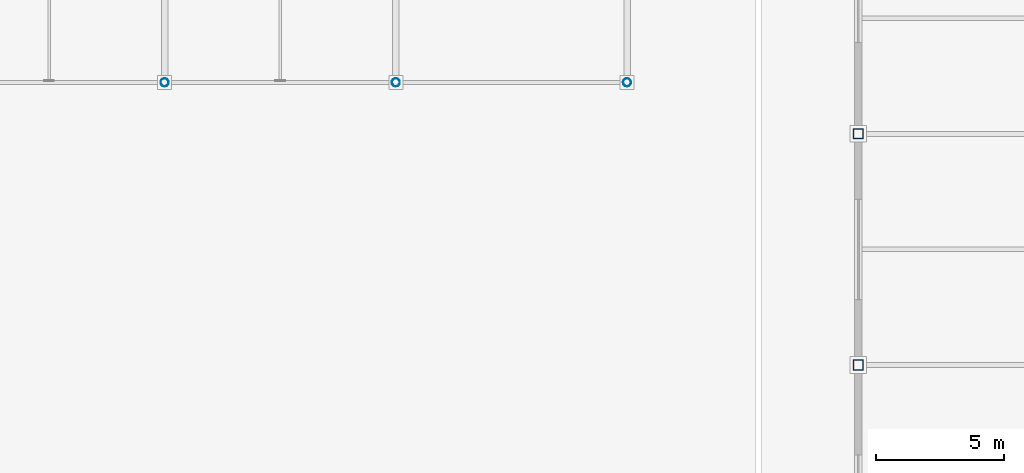
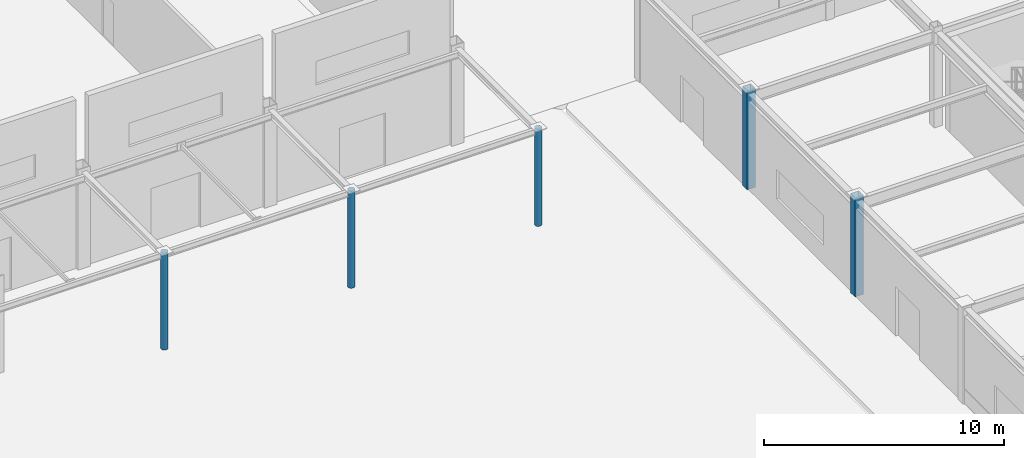
# One storey, part 8 of 123: 5 columns.
"""IFC4 building model written with IfcOpenShell, lengths in metres."""

from ifc_helpers import new_model, si_unit, direction, frame, origin, origin_2d, place, context, subcontext, project, spatial, hollow_rectangle, hollow_circle, extrude, material, material_profile, profile_set, type_object, element, save


model = new_model("IFC4")

# Units and contexts
model_context = context("Model", 3, precision=1e-05, world=origin(), true_north=direction((0.0, 1.0)))
body_context = subcontext(model_context, "Body", "Model", "MODEL_VIEW")
ifc_project = project(units=[si_unit("LENGTHUNIT", "METRE"), si_unit("AREAUNIT", "SQUARE_METRE"), si_unit("VOLUMEUNIT", "CUBIC_METRE"), si_unit("PLANEANGLEUNIT", "RADIAN"), si_unit("MASSUNIT", "GRAM", prefix="KILO")], contexts=[model_context])

# Site, building, storey
site_placement = place(None, origin())
site = spatial("IfcSite", under=ifc_project, at=site_placement, CompositionType="ELEMENT")
building_placement = place(site_placement, origin())
building = spatial("IfcBuilding", under=site, at=building_placement, Name="Suzunagisa Mobility Hub", CompositionType="ELEMENT")
storey_placement = place(building_placement, origin())
storey = spatial("IfcBuildingStorey", under=building, at=storey_placement, Name="L00", CompositionType="ELEMENT", Elevation=0.0)

# Columns
ifc_material = material(Name="Steel SN490B", Category="steel")
ifc_material_profile_1 = material_profile(ifc_material, hollow_circle(Radius=0.1591796875, WallThickness=0.01025390625, at=origin_2d()), Name="CHS-318.5x10.3")
ifc_profile_set_1 = profile_set([ifc_material_profile_1], Name="Steel SN490B")
column_type_1 = type_object("IfcColumnType", Name="Steel Column CL-09 CHS-318.5x10.3", PredefinedType="COLUMN", material=ifc_profile_set_1)
for number, where, z_axis, x_axis, name in (
    (1, (99.0, 29.0, 0.0), (0.0, 0.0, 1.0), (1.0, 0.0, 0.0), "L00 Column 191"),
    (2, (108.0, 29.0, 0.0), (0.0, 0.0, 1.0), (1.0, 0.0, 0.0), "L00 Column 200"),
    (3, (117.0, 29.0, 0.0), (0.0, 0.0, 1.0), (1.0, 0.0, 0.0), "L00 Column 211"),
):
    element("IfcColumn", number, at=place(storey_placement, frame(where, z_axis=z_axis, x_axis=x_axis)), inside=storey, type_object=column_type_1, Name=name, PredefinedType="COLUMN", context=body_context, shape_type="SweptSolid", body=[
        extrude(hollow_circle(Radius=0.1591796875, WallThickness=0.01025390625, at=origin_2d()), origin(), (0.0, 0.0, 1.0), 4.93994140625),
    ])
ifc_material_profile_2 = material_profile(ifc_material, hollow_rectangle(XDim=0.39990234375, YDim=0.39990234375, WallThickness=0.01904296875, at=origin_2d()), Name="BCR-400x400x19")
ifc_profile_set_2 = profile_set([ifc_material_profile_2], Name="Steel SN490B")
column_type_2 = type_object("IfcColumnType", Name="Steel Column CL-13 BCR-400x400x19", PredefinedType="COLUMN", material=ifc_profile_set_2)
for number, where, z_axis, x_axis, name in (
    (4, (126.0, 18.0, 0.0), (0.0, 0.0, 1.0), (1.0, 0.0, 0.0), "L00 Column 230"),
    (5, (126.0, 27.0, 0.0), (0.0, 0.0, 1.0), (1.0, 0.0, 0.0), "L00 Column 231"),
):
    element("IfcColumn", number, at=place(storey_placement, frame(where, z_axis=z_axis, x_axis=x_axis)), inside=storey, type_object=column_type_2, Name=name, PredefinedType="COLUMN", context=body_context, shape_type="SweptSolid", body=[
        extrude(hollow_rectangle(XDim=0.39990234375, YDim=0.39990234375, WallThickness=0.01904296875, at=origin_2d()), origin(), (0.0, 0.0, 1.0), 5.0400390625),
    ])

save(model, "model.ifc")
